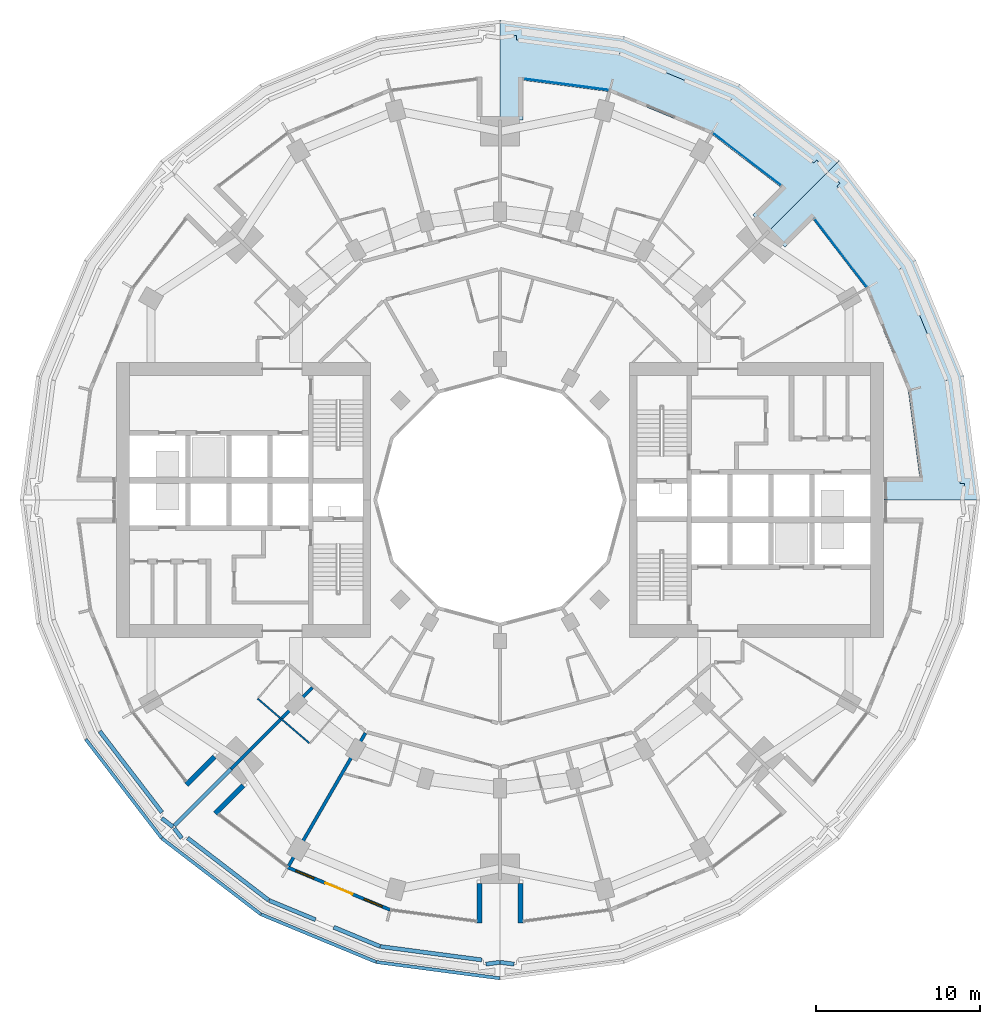
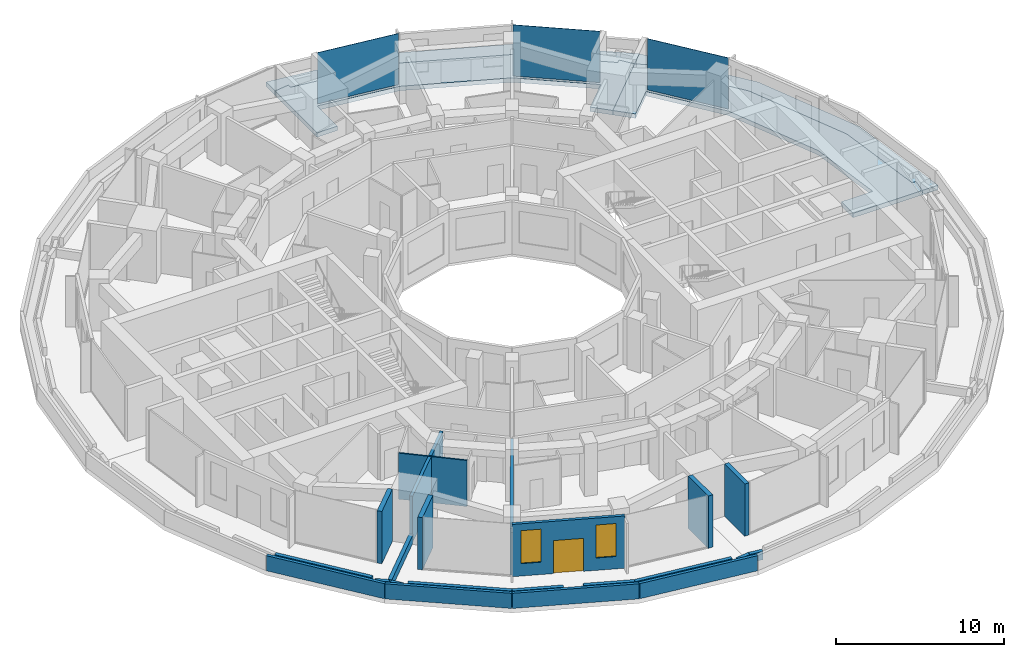
# One storey, part 9 of 19: 22 walls, 4 slabs, 3 plates, 2 windows, 1 door, 3 openings, 3 elements without a shape of their own.
"""IFC4 building model written with IfcOpenShell, lengths in metres."""

from ifc_helpers import new_model, si_unit, direction, frame, frame_2d, origin, origin_2d, place, context, subcontext, project, spatial, polyline, rectangle, outline, extrude, material, layer, layer_set, type_object, element, fill, aggregate, save


model = new_model("IFC4")

# Units and contexts
model_context = context("Model", 3, precision=1e-05, world=origin(), true_north=direction((0.0, 1.0)))
body_context = subcontext(model_context, "Body", "Model", "MODEL_VIEW")
ifc_project = project(units=[si_unit("LENGTHUNIT", "METRE"), si_unit("AREAUNIT", "SQUARE_METRE"), si_unit("VOLUMEUNIT", "CUBIC_METRE"), si_unit("PLANEANGLEUNIT", "RADIAN"), si_unit("MASSUNIT", "GRAM", prefix="KILO")], contexts=[model_context])

# Site, building, storey
site_placement = place(None, origin())
site = spatial("IfcSite", under=ifc_project, at=site_placement, CompositionType="ELEMENT")
building_placement = place(site_placement, origin())
building = spatial("IfcBuilding", under=site, at=building_placement, Name="Torre Brocal", CompositionType="ELEMENT")
storey_placement = place(building_placement, frame((0.0, 0.0, 28.800048828125)))
storey = spatial("IfcBuildingStorey", under=building, at=storey_placement, Name="L05", CompositionType="ELEMENT", Elevation=28.800048828125)

# Curtain wall, plate
ifc_material_1 = material(Name="Aluminium and glass", Category="aluminium")
ifc_layer_1 = layer(ifc_material_1, 0.199951171875)
ifc_layer_set_1 = layer_set([ifc_layer_1], Name="Aluminium and glass")
curtain_wall_type = type_object("IfcCurtainWallType", Name="CW-1 CURTAIN WALL 3800 HIGH", PredefinedType="NOTDEFINED", material=ifc_layer_set_1)
curtain_wall_1_placement = place(storey_placement, origin())
curtain_wall_1 = element("IfcCurtainWall", 1, at=curtain_wall_1_placement, inside=storey, type_object=curtain_wall_type, Name="CW-1 RUN 3", PredefinedType="NOTDEFINED")
ifc_material_2 = material(Name="Glass, dark tinted laminated", Category="glass")
ifc_layer_2 = layer(ifc_material_2, 0.031982421875)
ifc_layer_set_2 = layer_set([ifc_layer_2], Name="Glass, dark tinted laminated")
plate_type = type_object("IfcPlateType", Name="CW-1 GLASS PANEL 32", PredefinedType="CURTAIN_PANEL", material=ifc_layer_set_2)
plate_1_placement = place(storey_placement, frame((100.80126953125, 90.0712890625, 0.080078125), z_axis=(0.0, 0.0, 1.0), x_axis=(-0.60876142905, 0.793353340259, 0.0)))
plate_1 = element("IfcPlate", 2, at=plate_1_placement, type_object=plate_type, Name="CW1-1 panel 1.1", PredefinedType="CURTAIN_PANEL", context=body_context, shape_type="SweptSolid", body=[
    extrude(rectangle(XDim=5.22900390625, YDim=0.031982421875, at=origin_2d()), origin(), (0.0, 0.0, 1.0), 3.719970703125),
])
aggregate(curtain_wall_1, [plate_1])

curtain_wall_2_placement = place(storey_placement, origin())
curtain_wall_2 = element("IfcCurtainWall", 3, at=curtain_wall_2_placement, inside=storey, type_object=curtain_wall_type, Name="CW-1 RUN 4", PredefinedType="NOTDEFINED")
plate_2_placement = place(storey_placement, frame((95.0712890625, 95.80126953125, 0.080078125), z_axis=(0.0, 0.0, 1.0), x_axis=(-0.793353340259, 0.60876142905, 0.0)))
plate_2 = element("IfcPlate", 4, at=plate_2_placement, type_object=plate_type, Name="CW1-1 panel 1.1", PredefinedType="CURTAIN_PANEL", context=body_context, shape_type="SweptSolid", body=[
    extrude(rectangle(XDim=5.22900390625, YDim=0.031982421875, at=origin_2d()), origin(), (0.0, 0.0, 1.0), 3.719970703125),
])
aggregate(curtain_wall_2, [plate_2])

curtain_wall_3_placement = place(storey_placement, origin())
curtain_wall_3 = element("IfcCurtainWall", 5, at=curtain_wall_3_placement, inside=storey, type_object=curtain_wall_type, Name="CW-1 RUN 6", PredefinedType="NOTDEFINED")
plate_3_placement = place(storey_placement, frame((84.051513671875, 100.36572265625, 0.080078125), z_axis=(0.0, 0.0, 1.0), x_axis=(-0.991444861374, 0.13052619222, 0.0)))
plate_3 = element("IfcPlate", 6, at=plate_3_placement, type_object=plate_type, Name="CW1-1 panel 1.1", PredefinedType="CURTAIN_PANEL", context=body_context, shape_type="SweptSolid", body=[
    extrude(rectangle(XDim=5.22900390625, YDim=0.031982421875, at=origin_2d()), origin(), (0.0, 0.0, 1.0), 3.719970703125),
])
aggregate(curtain_wall_3, [plate_3])

# Slabs
ifc_material_3 = material(Name="Concrete C45", Category="concrete")
ifc_layer_3 = layer(ifc_material_3, 0.320068359375)
ifc_layer_set_3 = layer_set([ifc_layer_3], Name="Concrete C45")
slab_type_1 = type_object("IfcSlabType", Name="GREEN ROOF PLANTING BED SLAB 320 C45", PredefinedType="ROOF", material=ifc_layer_set_3)
slab_1_placement = place(storey_placement, frame((0.0, 0.0, -0.320068359375)))
element("IfcSlab", 7, at=slab_1_placement, inside=storey, type_object=slab_type_1, Name="Slab ST-07", PredefinedType="ROOF", context=body_context, shape_type="SweptSolid", body=[
    extrude(outline(polyline([(109.29833984375, 75.0), (108.218994140625, 75.0), (108.3505859375, 76.0), (108.08740234375, 76.0), (107.25732421875, 82.3037109375), (104.4384765625, 89.109375), (100.56787109375, 94.153564453125), (100.754150390625, 94.33984375), (99.953857421875, 94.953857421875), (100.717041015625, 95.717041015625), (105.373046875, 89.649169921875), (108.300048828125, 82.5830078125), (109.29833984375, 75.0)])), origin(), (0.0, 0.0, 1.0), 0.320068359375),
])
slab_2_placement = place(storey_placement, frame((0.0, 0.0, -0.320068359375)))
element("IfcSlab", 8, at=slab_2_placement, inside=storey, type_object=slab_type_1, Name="Slab ST-07", PredefinedType="ROOF", context=body_context, shape_type="SweptSolid", body=[
    extrude(outline(polyline([(100.717041015625, 95.717041015625), (99.953857421875, 94.953857421875), (99.33984375, 95.754150390625), (99.153564453125, 95.56787109375), (94.109375, 99.4384765625), (87.3037109375, 102.25732421875), (81.0, 103.08740234375), (81.0, 103.3505859375), (80.0, 103.218994140625), (80.0, 104.29833984375), (87.5830078125, 103.300048828125), (94.649169921875, 100.373046875), (100.717041015625, 95.717041015625)])), origin(), (0.0, 0.0, 1.0), 0.320068359375),
])
ifc_material_4 = material(Name="Concrete C45", Category="concrete")
ifc_layer_4 = layer(ifc_material_4, 0.320068359375)
ifc_layer_set_4 = layer_set([ifc_layer_4], Name="Concrete C45")
slab_type_2 = type_object("IfcSlabType", Name="PT TERRACE SLAB 320 C45", PredefinedType="ROOF", material=ifc_layer_set_4)
slab_3_placement = place(storey_placement, frame((0.0, 0.0, -0.320068359375)))
element("IfcSlab", 9, at=slab_3_placement, inside=storey, type_object=slab_type_2, Name="Slab ST-06", PredefinedType="ROOF", context=body_context, shape_type="SweptSolid", body=[
    extrude(outline(polyline([(103.449951171875, 76.39990234375), (105.614013671875, 76.39990234375), (104.919189453125, 81.677001953125), (102.342041015625, 87.899169921875), (99.101806640625, 92.121826171875), (97.394775390625, 90.4150390625), (96.40478515625, 91.40478515625), (99.953857421875, 94.953857421875), (100.754150390625, 94.33984375), (100.56787109375, 94.153564453125), (104.4384765625, 89.109375), (107.25732421875, 82.3037109375), (108.08740234375, 76.0), (108.3505859375, 76.0), (108.218994140625, 75.0), (103.449951171875, 75.0), (103.449951171875, 76.39990234375)])), origin(), (0.0, 0.0, 1.0), 0.320068359375),
])
slab_4_placement = place(storey_placement, frame((0.0, 0.0, -0.320068359375)))
element("IfcSlab", 10, at=slab_4_placement, inside=storey, type_object=slab_type_2, Name="Slab ST-06", PredefinedType="ROOF", context=body_context, shape_type="SweptSolid", body=[
    extrude(outline(polyline([(95.4150390625, 92.394775390625), (97.121826171875, 94.101806640625), (92.899169921875, 97.342041015625), (86.677001953125, 99.919189453125), (81.39990234375, 100.614013671875), (81.39990234375, 98.199951171875), (80.0, 98.199951171875), (80.0, 103.218994140625), (81.0, 103.3505859375), (81.0, 103.08740234375), (87.3037109375, 102.25732421875), (94.109375, 99.4384765625), (99.153564453125, 95.56787109375), (99.33984375, 95.754150390625), (99.953857421875, 94.953857421875), (96.40478515625, 91.40478515625), (95.4150390625, 92.394775390625)])), origin(), (0.0, 0.0, 1.0), 0.320068359375),
])

# Wall, openings, door, windows
ifc_material_5 = material(Name="Concrete C40", Category="concrete")
ifc_layer_5 = layer(ifc_material_5, 0.199951171875)
ifc_layer_set_5 = layer_set([ifc_layer_5], Name="Concrete C40")
wall_type_1 = type_object("IfcWallType", Name="EXTERNAL WALL 200", PredefinedType="NOTDEFINED", material=ifc_layer_set_5)
wall_1_placement = place(storey_placement, frame((67.050537109375, 52.57080078125, 0.0), z_axis=(0.0, 0.0, 1.0), x_axis=(0.923875115043, -0.382694096902, 0.0)))
wall_1 = element("IfcWall", 11, at=wall_1_placement, inside=storey, type_object=wall_type_1, Name="EXTERNAL WALL", PredefinedType="NOTDEFINED", context=body_context, shape_type="SweptSolid", body=[
    extrude(rectangle(XDim=6.760986328125, YDim=0.199951171875, at=frame_2d((3.38037109375, 0.0))), origin(), (0.0, 0.0, 1.0), 3.800048828125),
])
opening_1_placement = place(wall_1_placement, frame((0.52685546875, 0.0, 0.89990234375)))
opening_1 = element("IfcOpeningElement", 12, at=opening_1_placement, cuts=wall_1, Name="Opening W3", PredefinedType="OPENING", context=body_context, shape_type="SweptSolid", body=[
    extrude(rectangle(XDim=1.199951171875, YDim=2.39990234375, at=frame_2d((0.60009765625, 1.199951171875))), frame((0.0, 0.10986328125, 0.0), z_axis=(0.0, -1.0, 0.0), x_axis=(1.0, 0.0, 0.0)), (0.0, 0.0, 1.0), 0.219970703125),
])
opening_2_placement = place(wall_1_placement, frame((2.48046875, 0.0, 0.0)))
opening_2 = element("IfcOpeningElement", 13, at=opening_2_placement, cuts=wall_1, Name="Opening L05-E06", PredefinedType="OPENING", context=body_context, shape_type="SweptSolid", body=[
    extrude(rectangle(XDim=1.800048828125, YDim=2.39990234375, at=frame_2d((0.89990234375, 1.199951171875))), frame((0.0, 0.10986328125, 0.0), z_axis=(0.0, -1.0, 0.0), x_axis=(1.0, 0.0, 0.0)), (0.0, 0.0, 1.0), 0.219970703125),
])
opening_3_placement = place(wall_1_placement, frame((5.0341796875, 0.0, 0.89990234375)))
opening_3 = element("IfcOpeningElement", 14, at=opening_3_placement, cuts=wall_1, Name="Opening W3", PredefinedType="OPENING", context=body_context, shape_type="SweptSolid", body=[
    extrude(rectangle(XDim=1.199951171875, YDim=2.39990234375, at=frame_2d((0.60009765625, 1.199951171875))), frame((0.0, 0.10986328125, 0.0), z_axis=(0.0, -1.0, 0.0), x_axis=(1.0, 0.0, 0.0)), (0.0, 0.0, 1.0), 0.219970703125),
])
ifc_material_6 = material(Name="Aluminium and glass", Category="aluminium")
door_type = type_object("IfcDoorType", Name="TERRACE DOUBLE DOOR 1800X2400", OperationType="DOUBLE_DOOR_SINGLE_SWING", PredefinedType="DOOR", material=ifc_material_6)
door_placement = place(opening_2_placement, frame((1.800048828125, 0.0, 0.0), z_axis=(0.0, 0.0, 1.0), x_axis=(-1.0, 0.0, 0.0)))
door = element("IfcDoor", 15, at=door_placement, inside=storey, type_object=door_type, Name="DOOR L05-E06", OperationType="DOUBLE_DOOR_SINGLE_SWING", OverallHeight=2.39990234375, OverallWidth=1.800048828125, PredefinedType="DOOR", context=body_context, shape_type="SweptSolid", body=[
    extrude(rectangle(XDim=1.800048828125, YDim=2.39990234375, at=frame_2d((0.89990234375, 1.199951171875))), frame((0.0, 0.02490234375, 0.0), z_axis=(0.0, -1.0, 0.0), x_axis=(1.0, 0.0, 0.0)), (0.0, 0.0, 1.0), 0.050048828125),
])
fill(opening_2, door)
ifc_material_7 = material(Name="Aluminium and glass", Category="aluminium")
window_type = type_object("IfcWindowType", Name="TERRACE WINDOW 1200X2400", PartitioningType="SINGLE_PANEL", PredefinedType="WINDOW", material=ifc_material_7)
window_1_placement = place(opening_1_placement, origin())
window_1 = element("IfcWindow", 16, at=window_1_placement, inside=storey, type_object=window_type, Name="TERRACE WINDOW 1200X2400", OverallHeight=2.39990234375, OverallWidth=1.199951171875, PartitioningType="SINGLE_PANEL", PredefinedType="WINDOW", context=body_context, shape_type="SweptSolid", body=[
    extrude(rectangle(XDim=1.199951171875, YDim=2.39990234375, at=frame_2d((0.60009765625, 1.199951171875))), frame((0.0, 0.030029296875, 0.0), z_axis=(0.0, -1.0, 0.0), x_axis=(1.0, 0.0, 0.0)), (0.0, 0.0, 1.0), 0.06005859375),
])
fill(opening_1, window_1)
window_2_placement = place(opening_3_placement, origin())
window_2 = element("IfcWindow", 17, at=window_2_placement, inside=storey, type_object=window_type, Name="TERRACE WINDOW 1200X2400", OverallHeight=2.39990234375, OverallWidth=1.199951171875, PartitioningType="SINGLE_PANEL", PredefinedType="WINDOW", context=body_context, shape_type="SweptSolid", body=[
    extrude(rectangle(XDim=1.199951171875, YDim=2.39990234375, at=frame_2d((0.60009765625, 1.199951171875))), frame((0.0, 0.030029296875, 0.0), z_axis=(0.0, -1.0, 0.0), x_axis=(1.0, 0.0, 0.0)), (0.0, 0.0, 1.0), 0.06005859375),
])
fill(opening_3, window_2)

# Walls
ifc_material_8 = material(Name="Concrete C80", Category="concrete")
ifc_layer_6 = layer(ifc_material_8, 0.300048828125)
ifc_layer_set_6 = layer_set([ifc_layer_6], Name="Concrete C80")
wall_type_2 = type_object("IfcWallType", Name="NOTCH RETURN WALL 300 C80", PredefinedType="NOTDEFINED", material=ifc_layer_set_6)
for number, where, z_axis, x_axis, name in (
    (18, (62.56982421875, 59.337646484375, 0.0), (0.0, 0.0, 1.0), (-0.707106781187, -0.707106781187, 0.0), "NOTCH RETURN WALL"),
    (19, (64.337646484375, 57.56982421875, 0.0), (0.0, 0.0, 1.0), (-0.707106781187, -0.707106781187, 0.0), "NOTCH RETURN WALL"),
    (20, (78.75, 51.60009765625, 0.0), (0.0, 0.0, 1.0), (0.0, -1.0, 0.0), "NOTCH RETURN WALL"),
    (21, (81.25, 51.60009765625, 0.0), (0.0, 0.0, 1.0), (0.0, -1.0, 0.0), "NOTCH RETURN WALL"),
):
    element("IfcWall", number, at=place(storey_placement, frame(where, z_axis=z_axis, x_axis=x_axis)), inside=storey, type_object=wall_type_2, Name=name, PredefinedType="NOTDEFINED", context=body_context, shape_type="SweptSolid", body=[
        extrude(rectangle(XDim=2.415771484375, YDim=0.300048828125, at=frame_2d((1.2080078125, 0.0))), origin(), (0.0, 0.0, 1.0), 3.800048828125),
    ])
ifc_material_9 = material(Name="Concrete C40", Category="concrete")
ifc_layer_7 = layer(ifc_material_9, 0.199951171875)
ifc_layer_set_7 = layer_set([ifc_layer_7], Name="Concrete C40")
wall_type_3 = type_object("IfcWallType", Name="PARAPET WALL 200 THICK 1100 HIGH 6", PredefinedType="PARAPET", material=ifc_layer_set_7)
wall_2_placement = place(storey_placement, frame((79.987060546875, 45.80419921875, 0.0), z_axis=(0.0, 0.0, 1.0), x_axis=(-0.991444665631, 0.130527679023, 0.0)))
element("IfcWall", 22, at=wall_2_placement, inside=storey, type_object=wall_type_3, Name="PARAPET WALL 7", PredefinedType="PARAPET", context=body_context, shape_type="SweptSolid", body=[
    extrude(rectangle(XDim=7.595703125, YDim=0.199951171875, at=frame_2d((3.7978515625, 0.0))), origin(), (0.0, 0.0, 1.0), 1.099853515625),
])
wall_3_placement = place(storey_placement, frame((72.430908203125, 46.802490234375, 0.0), z_axis=(0.0, 0.0, 1.0), x_axis=(-0.923876582616, 0.382690553965, 0.0)))
element("IfcWall", 23, at=wall_3_placement, inside=storey, type_object=wall_type_3, Name="PARAPET WALL 8", PredefinedType="PARAPET", context=body_context, shape_type="SweptSolid", body=[
    extrude(rectangle(XDim=7.595458984375, YDim=0.199951171875, at=frame_2d((3.7978515625, 0.0))), origin(), (0.0, 0.0, 1.0), 1.099853515625),
])
for number, where, z_axis, x_axis, name in (
    (24, (65.390869140625, 49.722412109375, 0.0), (0.0, 0.0, 1.0), (-0.793367808682, 0.608742572971, 0.0), "PARAPET WALL 9"),
    (25, (59.34619140625, 54.36474609375, 0.0), (0.0, 0.0, 1.0), (-0.608742572971, 0.793367808682, 0.0), "PARAPET WALL 10"),
):
    element("IfcWall", number, at=place(storey_placement, frame(where, z_axis=z_axis, x_axis=x_axis)), inside=storey, type_object=wall_type_3, Name=name, PredefinedType="PARAPET", context=body_context, shape_type="SweptSolid", body=[
        extrude(rectangle(XDim=7.595703125, YDim=0.199951171875, at=frame_2d((3.7978515625, 0.0))), origin(), (0.0, 0.0, 1.0), 1.099853515625),
    ])
ifc_material_10 = material(Name="Gypsum board", Category="Gypsum")
ifc_layer_8 = layer(ifc_material_10, 0.10009765625)
ifc_layer_set_8 = layer_set([ifc_layer_8], Name="Gypsum board")
wall_type_4 = type_object("IfcWallType", Name="PARTITION 100", PredefinedType="PARTITIONING", material=ifc_layer_set_8)
wall_4_placement = place(storey_placement, frame((65.209228515625, 62.87451171875, 0.0), z_axis=(0.0, 0.0, 1.0), x_axis=(0.757930378138, -0.652335451969, 0.0)))
element("IfcWall", 26, at=wall_4_placement, inside=storey, type_object=wall_type_4, Name="BATHROOM WALL", PredefinedType="PARTITIONING", context=body_context, shape_type="SweptSolid", body=[
    extrude(rectangle(XDim=4.150146484375, YDim=0.10009765625, at=frame_2d((2.0751953125, 0.0))), origin(), (0.0, 0.0, 1.0), 3.349853515625),
])
ifc_material_11 = material(Name="Gypsum board", Category="Gypsum")
ifc_layer_9 = layer(ifc_material_11, 0.199951171875)
ifc_layer_set_9 = layer_set([ifc_layer_9], Name="Gypsum board")
wall_type_5 = type_object("IfcWallType", Name="PARTITION 200 EI60", PredefinedType="PARTITIONING", material=ifc_layer_set_9)
wall_5_placement = place(storey_placement, frame((63.59228515625, 58.59912109375, 0.0), z_axis=(0.0, 0.0, 1.0), x_axis=(0.707228748718, 0.706984792613, 0.0)))
element("IfcWall", 27, at=wall_5_placement, inside=storey, type_object=wall_type_5, Name="BATHROOM WALL", PredefinedType="PARTITIONING", context=body_context, shape_type="SweptSolid", body=[
    extrude(rectangle(XDim=7.00537109375, YDim=0.199951171875, at=frame_2d((3.502685546875, 0.0))), origin(), (0.0, 0.0, 1.0), 3.349853515625),
])
wall_6_placement = place(storey_placement, frame((67.095947265625, 52.66162109375, 0.0), z_axis=(0.0, 0.0, 1.0), x_axis=(0.500242450002, 0.865885379953, 0.0)))
element("IfcWall", 28, at=wall_6_placement, inside=storey, type_object=wall_type_5, Name="BATHROOM WALL", PredefinedType="PARTITIONING", context=body_context, shape_type="SweptSolid", body=[
    extrude(rectangle(XDim=9.373779296875, YDim=0.199951171875, at=frame_2d((4.68701171875, 0.0))), origin(), (0.0, 0.0, 1.0), 3.349853515625),
])
ifc_material_12 = material(Name="Concrete C35", Category="concrete")
ifc_layer_10 = layer(ifc_material_12, 0.25)
ifc_layer_set_10 = layer_set([ifc_layer_10], Name="Concrete C35")
wall_type_6 = type_object("IfcWallType", Name="PLANTER WALL 250 THICK 600 HIGH 6", PredefinedType="USERDEFINED", material=ifc_layer_set_10)
wall_7_placement = place(storey_placement, frame((60.03955078125, 55.05126953125, 0.0), z_axis=(0.0, 0.0, 1.0), x_axis=(-0.793290143052, 0.608843780404, 0.0)))
element("IfcWall", 29, at=wall_7_placement, inside=storey, type_object=wall_type_6, Name="PLANTER", ObjectType="PLANTER", PredefinedType="USERDEFINED", context=body_context, shape_type="SweptSolid", body=[
    extrude(rectangle(XDim=0.857666015625, YDim=0.25, at=frame_2d((0.4287109375, 0.0))), origin(), (0.0, 0.0, 1.0), 0.599853515625),
])
wall_8_placement = place(storey_placement, frame((59.365478515625, 55.933349609375, 0.0), z_axis=(0.0, 0.0, 1.0), x_axis=(-0.608758005668, 0.793355967101, 0.0)))
element("IfcWall", 30, at=wall_8_placement, inside=storey, type_object=wall_type_6, Name="PLANTER", ObjectType="PLANTER", PredefinedType="USERDEFINED", context=body_context, shape_type="SweptSolid", body=[
    extrude(rectangle(XDim=6.23193359375, YDim=0.25, at=frame_2d((3.115966796875, 0.0))), origin(), (0.0, 0.0, 1.0), 0.599853515625),
])
wall_9_placement = place(storey_placement, frame((79.991943359375, 46.780029296875, 0.0), z_axis=(0.0, 0.0, 1.0), x_axis=(-0.991432973658, -0.130616456633, 0.0)))
element("IfcWall", 31, at=wall_9_placement, inside=storey, type_object=wall_type_6, Name="PLANTER", ObjectType="PLANTER", PredefinedType="USERDEFINED", context=body_context, shape_type="SweptSolid", body=[
    extrude(rectangle(XDim=0.85791015625, YDim=0.25, at=frame_2d((0.428955078125, 0.0))), origin(), (0.0, 0.0, 1.0), 0.599853515625),
])
wall_10_placement = place(storey_placement, frame((78.891357421875, 46.927001953125, 0.0), z_axis=(0.0, 0.0, 1.0), x_axis=(-0.991444158753, 0.130531529041, 0.0)))
element("IfcWall", 32, at=wall_10_placement, inside=storey, type_object=wall_type_6, Name="PLANTER", ObjectType="PLANTER", PredefinedType="USERDEFINED", context=body_context, shape_type="SweptSolid", body=[
    extrude(rectangle(XDim=6.23193359375, YDim=0.25, at=frame_2d((3.115966796875, 0.0))), origin(), (0.0, 0.0, 1.0), 0.599853515625),
])
for number, where, z_axis, x_axis, name in (
    (33, (72.68115234375, 47.748779296875, 0.0), (0.0, 0.0, 1.0), (-0.923861592916, 0.382726739509, 0.0), "PLANTER"),
    (34, (68.739013671875, 49.381591796875, 0.0), (0.0, 0.0, 1.0), (-0.923849931538, 0.38275488762, 0.0), "PLANTER"),
):
    element("IfcWall", number, at=place(storey_placement, frame(where, z_axis=z_axis, x_axis=x_axis)), inside=storey, type_object=wall_type_6, Name=name, ObjectType="PLANTER", PredefinedType="USERDEFINED", context=body_context, shape_type="SweptSolid", body=[
        extrude(rectangle(XDim=3.06689453125, YDim=0.25, at=frame_2d((1.533447265625, 0.0))), origin(), (0.0, 0.0, 1.0), 0.599853515625),
    ])
wall_11_placement = place(storey_placement, frame((65.87744140625, 50.57177734375, 0.0), z_axis=(0.0, 0.0, 1.0), x_axis=(-0.793355967101, 0.608758005668, 0.0)))
element("IfcWall", 35, at=wall_11_placement, inside=storey, type_object=wall_type_6, Name="PLANTER", ObjectType="PLANTER", PredefinedType="USERDEFINED", context=body_context, shape_type="SweptSolid", body=[
    extrude(rectangle(XDim=6.23193359375, YDim=0.25, at=frame_2d((3.115966796875, 0.0))), origin(), (0.0, 0.0, 1.0), 0.599853515625),
])
wall_12_placement = place(storey_placement, frame((60.573486328125, 54.359130859375, 0.0), z_axis=(0.0, 0.0, 1.0), x_axis=(-0.60894629998, 0.793211449577, 0.0)))
element("IfcWall", 36, at=wall_12_placement, inside=storey, type_object=wall_type_6, Name="PLANTER", ObjectType="PLANTER", PredefinedType="USERDEFINED", context=body_context, shape_type="SweptSolid", body=[
    extrude(rectangle(XDim=0.756591796875, YDim=0.25, at=frame_2d((0.37841796875, 0.0))), origin(), (0.0, 0.0, 1.0), 0.599853515625),
])
wall_13_placement = place(storey_placement, frame((60.123779296875, 55.123779296875, 0.0), z_axis=(0.0, 0.0, 1.0), x_axis=(0.707106781187, 0.707106781187, 0.0)))
element("IfcWall", 37, at=wall_13_placement, inside=storey, type_object=wall_type_6, Name="PLANTER", ObjectType="PLANTER", PredefinedType="USERDEFINED", context=body_context, shape_type="SweptSolid", body=[
    extrude(rectangle(XDim=4.909423828125, YDim=0.25, at=frame_2d((2.45458984375, 0.0))), origin(), (0.0, 0.0, 1.0), 0.599853515625),
])
wall_14_placement = place(storey_placement, frame((80.858642578125, 46.66796875, 0.0), z_axis=(0.0, 0.0, 1.0), x_axis=(-0.991445657875, 0.130520142052, 0.0)))
element("IfcWall", 38, at=wall_14_placement, inside=storey, type_object=wall_type_6, Name="PLANTER", ObjectType="PLANTER", PredefinedType="USERDEFINED", context=body_context, shape_type="SweptSolid", body=[
    extrude(rectangle(XDim=0.865966796875, YDim=0.25, at=frame_2d((0.43310546875, 0.0))), origin(), (0.0, 0.0, 1.0), 0.599853515625),
])

save(model, "model.ifc")
